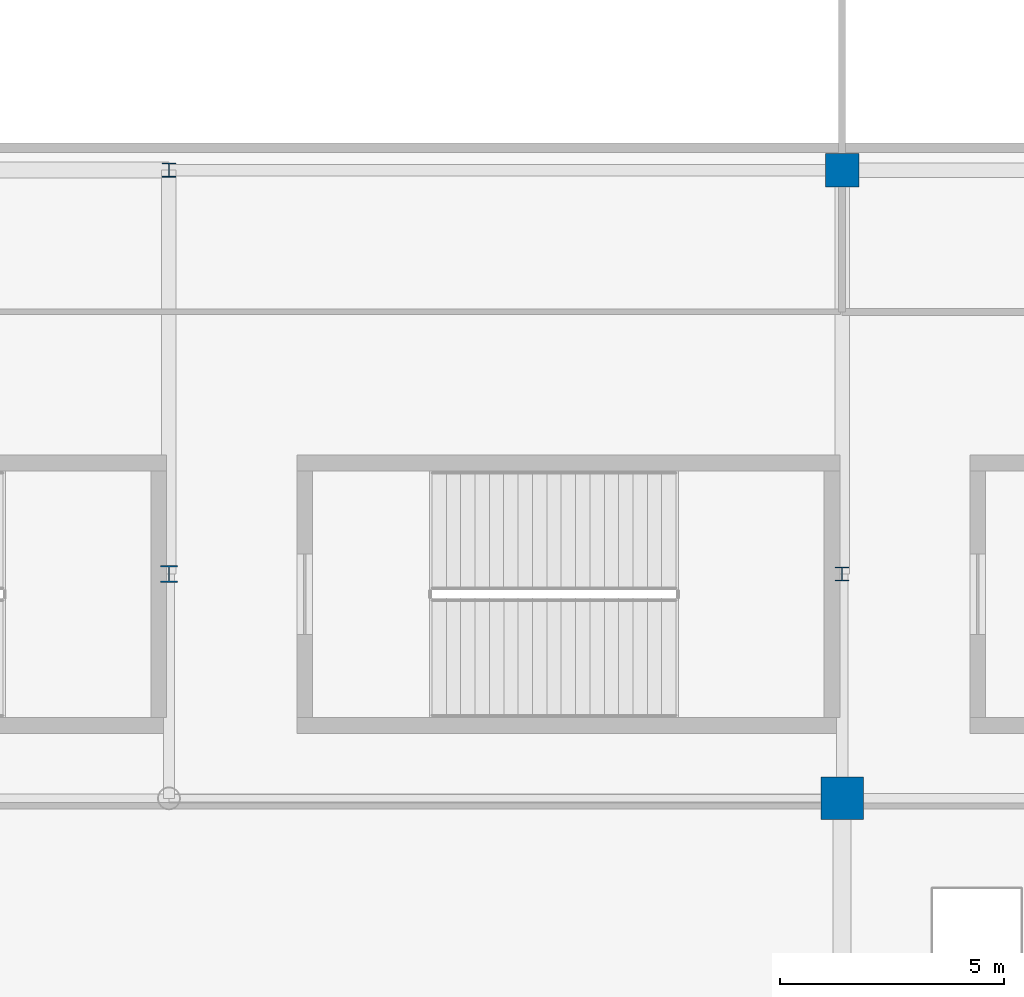
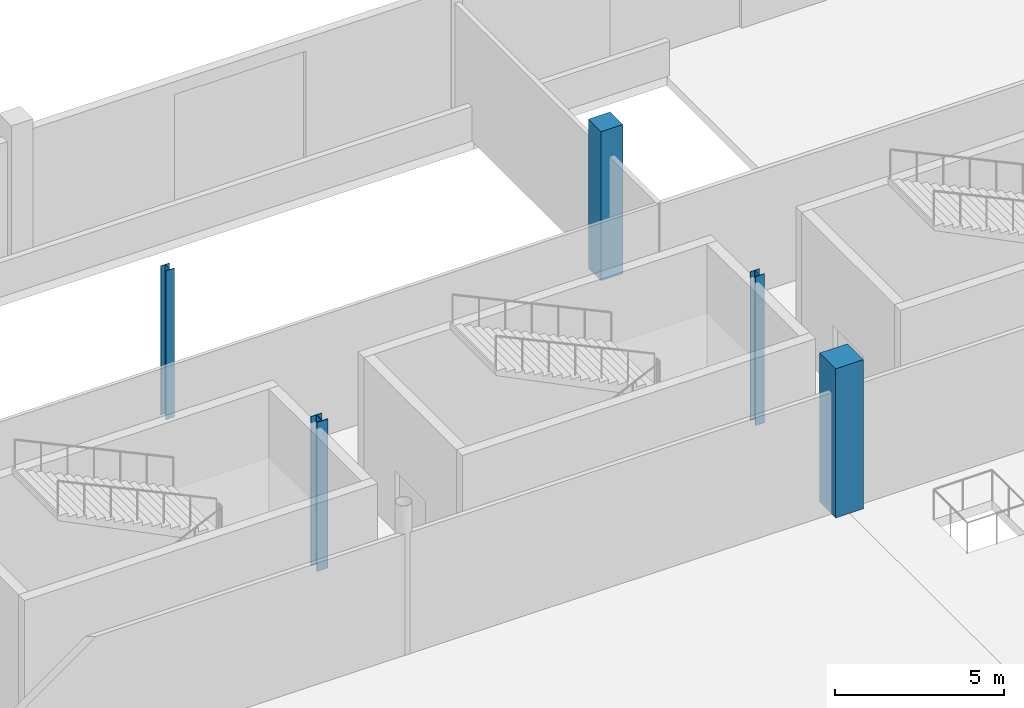
# One storey, part 9 of 94: 5 columns.
"""IFC4 building model written with IfcOpenShell, lengths in metres."""

import ifcopenshell
import ifcopenshell.guid

model = None  # the IFC model being written
_history = None  # IfcOwnerHistory: only IFC2X3 demands one
_inside = {}  # id of a spatial element -> (the spatial element, [elements in it])
_under = {}  # id of a project, library or spatial element -> (it, [spatial elements below it])
_declared = {}  # id of a project -> (the project, [libraries it declares])
_typed = {}  # id of a type object -> (the type object, [elements of that type])
_made_of = {}  # id of a material, layer set ... -> (it, [elements and type objects made of it])


def new_model(schema):
    """Start an empty IFC model of exactly this schema.

    Asked for "IFC4X3", IfcOpenShell would pick the latest addendum, in which some entities
    have other attributes; the version numbers below select the first issue.
    IFC2X3 requires an IfcOwnerHistory on every rooted entity: one is made here for all.
    """
    global model, _history
    if schema == "IFC4X3":
        model = ifcopenshell.file(schema_version=(4, 3, 0, 0))
    else:
        model = ifcopenshell.file(schema=schema)
    _inside.clear()
    _under.clear()
    _declared.clear()
    _typed.clear()
    _made_of.clear()
    _history = None
    if model.schema == "IFC2X3":
        org = make("IfcOrganization", Name="unknown")
        user = make(
            "IfcPersonAndOrganization",
            ThePerson=make("IfcPerson", FamilyName="unknown"),
            TheOrganization=org,
        )
        app = make(
            "IfcApplication",
            ApplicationDeveloper=org,
            Version="unknown",
            ApplicationFullName="unknown",
            ApplicationIdentifier="unknown",
        )
        _history = make(
            "IfcOwnerHistory",
            OwningUser=user,
            OwningApplication=app,
            ChangeAction="ADDED",
            CreationDate=0,
        )
    return model


def make(cls, **values):
    """One entity of the class cls with the attributes given. An attribute that is None is left unset."""
    return model.create_entity(
        cls, **{name: value for name, value in values.items() if value is not None}
    )


def rooted(cls, **values):
    """An entity with a GlobalId (a new one), such as an element, a storey or a relation."""
    return make(cls, GlobalId=ifcopenshell.guid.new(), OwnerHistory=_history, **values)


def si_unit(unit_type, name, prefix=None):
    """IfcSIUnit, for example si_unit("LENGTHUNIT", "METRE", prefix="MILLI")."""
    return make("IfcSIUnit", UnitType=unit_type, Prefix=prefix, Name=name)


def assignment(units):
    """IfcUnitAssignment: the units of a project."""
    return None if units is None else make("IfcUnitAssignment", Units=units)


def point(xyz):
    """IfcCartesianPoint."""
    return None if xyz is None else make("IfcCartesianPoint", Coordinates=xyz)


def direction(xyz):
    """IfcDirection."""
    return None if xyz is None else make("IfcDirection", DirectionRatios=xyz)


def frame(location, z_axis=None, x_axis=None):
    """IfcAxis2Placement3D, a coordinate frame: its origin and axes. An axis left out is left unset."""
    return make(
        "IfcAxis2Placement3D",
        Location=point(location),
        Axis=direction(z_axis),
        RefDirection=direction(x_axis),
    )


def frame_2d(location, x_axis=None):
    """IfcAxis2Placement2D, a coordinate frame in the plane: its origin and x axis."""
    return make(
        "IfcAxis2Placement2D", Location=point(location), RefDirection=direction(x_axis)
    )


def origin():
    """The frame at (0, 0, 0) with its axes left unset."""
    return frame((0.0, 0.0, 0.0))


def origin_2d():
    """The frame at (0, 0) in the plane with its x axis left unset."""
    return frame_2d((0.0, 0.0))


def place(relative_to, where):
    """IfcLocalPlacement: puts the frame where relative to a parent placement (None: the world)."""
    return make(
        "IfcLocalPlacement", PlacementRelTo=relative_to, RelativePlacement=where
    )


def context(
    kind, dimensions, precision=None, world=None, true_north=None, identifier=None
):
    """IfcGeometricRepresentationContext, for example the 3D "Model" context."""
    return make(
        "IfcGeometricRepresentationContext",
        ContextIdentifier=identifier,
        ContextType=kind,
        CoordinateSpaceDimension=dimensions,
        Precision=precision,
        WorldCoordinateSystem=world,
        TrueNorth=true_north,
    )


def subcontext(parent, identifier, kind, view, scale=None):
    """IfcGeometricRepresentationSubContext, for example "Body" below "Model"."""
    return make(
        "IfcGeometricRepresentationSubContext",
        ContextIdentifier=identifier,
        ContextType=kind,
        ParentContext=parent,
        TargetScale=scale,
        TargetView=view,
    )


def project(units=None, contexts=None):
    """IfcProject with its units and contexts."""
    return rooted(
        "IfcProject",
        Name="project",
        RepresentationContexts=contexts,
        UnitsInContext=assignment(units),
    )


def spatial(cls, under=None, at=None, **own):
    """A site, building, storey or space (cls), placed at a placement, below another one or the project."""
    s = rooted(cls, ObjectPlacement=at, **own)
    if under is not None:
        _under.setdefault(under.id(), (under, []))[1].append(s)
    return s


def profile(cls, at=None, kind="AREA", **sizes):
    """A parametric profile (cls). Its sizes go by their IFC names, for example OverallWidth=200.0."""
    return make(cls, ProfileType=kind, Position=at, **sizes)


def rectangle(**sizes):
    """IfcRectangleProfileDef."""
    return profile("IfcRectangleProfileDef", **sizes)


def i_section(**sizes):
    """IfcIShapeProfileDef."""
    return profile("IfcIShapeProfileDef", **sizes)


def extrude(swept, where, along, depth):
    """IfcExtrudedAreaSolid: the profile swept, set in the frame where, extruded along a direction by depth."""
    return make(
        "IfcExtrudedAreaSolid",
        SweptArea=swept,
        Position=where,
        ExtrudedDirection=direction(along),
        Depth=depth,
    )


def shape(context_of_items, identifier, shape_type, items):
    """IfcShapeRepresentation: the items that make up one representation, for example the "Body"."""
    return make(
        "IfcShapeRepresentation",
        ContextOfItems=context_of_items,
        RepresentationIdentifier=identifier,
        RepresentationType=shape_type,
        Items=items,
    )


def material(Name=None, Category=None):
    """IfcMaterial."""
    return make("IfcMaterial", Name=Name, Category=Category)


def material_profile(
    of_material, cross_section, Name=None, Category=None, Priority=None
):
    """IfcMaterialProfile: a cross section and its material."""
    return make(
        "IfcMaterialProfile",
        Name=Name,
        Material=of_material,
        Profile=cross_section,
        Priority=Priority,
        Category=Category,
    )


def profile_set(profiles, Name=None, composite=None):
    """IfcMaterialProfileSet."""
    return make(
        "IfcMaterialProfileSet",
        Name=Name,
        MaterialProfiles=profiles,
        CompositeProfile=composite,
    )


def made_of(thing, what):
    """Note that an element or type object is made of a material, layer set ...; save() writes the relation."""
    if what is not None:
        _made_of.setdefault(what.id(), (what, []))[1].append(thing)
    return thing


def type_object(cls, material=None, **own):
    """A type object (cls), such as IfcWallType, which elements share."""
    return made_of(rooted(cls, **own), material)


def element(
    cls,
    number,
    at=None,
    inside=None,
    cuts=None,
    type_object=None,
    material=None,
    context=None,
    identifier="Body",
    shape_type=None,
    held_by="IfcProductDefinitionShape",
    body=None,
    shapes=None,
    **own,
):
    """One element of the class cls, such as IfcWall. Its Tag is "e" and its number.

    at: its placement. inside: the storey or other place that contains it. cuts: it is an
    opening in that element (IfcRelVoidsElement). A single representation is given by context,
    identifier, shape_type and body (its items); several are given by shapes. held_by: the class
    of the entity that holds the representations. save() writes the other relations.
    """
    e = rooted(cls, Tag="e%d" % number, ObjectPlacement=at, **own)
    if body is not None:
        shapes = [shape(context, identifier, shape_type, body)]
    if shapes is not None:
        e.Representation = make(held_by, Representations=shapes)
    if inside is not None:
        _inside.setdefault(inside.id(), (inside, []))[1].append(e)
    if cuts is not None:
        rooted(
            "IfcRelVoidsElement", RelatingBuildingElement=cuts, RelatedOpeningElement=e
        )
    if type_object is not None:
        _typed.setdefault(type_object.id(), (type_object, []))[1].append(e)
    return made_of(e, material)


def aggregate(whole, parts):
    """IfcRelAggregates: a whole, such as a stair, and the parts it consists of."""
    return rooted("IfcRelAggregates", RelatingObject=whole, RelatedObjects=parts)


def save(model, path):
    """Write the relations noted so far, then the file.

    IfcRelAggregates (storeys below a building ...), IfcRelContainedInSpatialStructure (elements
    in a storey), IfcRelDefinesByType, IfcRelAssociatesMaterial and IfcRelDeclares: one each for
    every whole, place, type object, material and project.
    """
    for whole, parts in _under.values():
        aggregate(whole, parts)
    for where, things in _inside.values():
        rooted(
            "IfcRelContainedInSpatialStructure",
            RelatedElements=things,
            RelatingStructure=where,
        )
    for kind, things in _typed.values():
        rooted("IfcRelDefinesByType", RelatedObjects=things, RelatingType=kind)
    for what, things in _made_of.values():
        rooted("IfcRelAssociatesMaterial", RelatedObjects=things, RelatingMaterial=what)
    for by, libraries in _declared.values():
        rooted("IfcRelDeclares", RelatingContext=by, RelatedDefinitions=libraries)
    model.write(path)


model = new_model("IFC4")

# Units and contexts
model_context = context("Model", 3, precision=1e-05, world=origin(), true_north=direction((0.0, 1.0)))
body_context = subcontext(model_context, "Body", "Model", "MODEL_VIEW")
ifc_project = project(units=[si_unit("LENGTHUNIT", "METRE"), si_unit("AREAUNIT", "SQUARE_METRE"), si_unit("VOLUMEUNIT", "CUBIC_METRE"), si_unit("PLANEANGLEUNIT", "RADIAN"), si_unit("MASSUNIT", "GRAM", prefix="KILO")], contexts=[model_context])

# Site, building, storey
site_placement = place(None, origin())
site = spatial("IfcSite", under=ifc_project, at=site_placement, CompositionType="ELEMENT")
building_placement = place(site_placement, origin())
building = spatial("IfcBuilding", under=site, at=building_placement, Name="Qamarlyn Nura Convention Centre", CompositionType="ELEMENT")
storey_placement = place(building_placement, origin())
storey = spatial("IfcBuildingStorey", under=building, at=storey_placement, Name="L00", CompositionType="ELEMENT", Elevation=0.0)

# Columns
ifc_material_1 = material(Name="Concrete C50/60", Category="concrete")
ifc_material_profile_1 = material_profile(ifc_material_1, rectangle(XDim=0.949951171875, YDim=0.949951171875, at=origin_2d()), Name="RC 950x950")
ifc_profile_set_1 = profile_set([ifc_material_profile_1], Name="Concrete C50/60")
column_type_1 = type_object("IfcColumnType", Name="COL-HALL-2", PredefinedType="COLUMN", material=ifc_profile_set_1)
column_1_placement = place(storey_placement, frame((60.0, 103.0, 0.0), z_axis=(0.0, 0.0, 1.0), x_axis=(1.0, 0.0, 0.0)))
element("IfcColumn", 1, at=column_1_placement, inside=storey, type_object=column_type_1, Name="L00 column 5/M", PredefinedType="COLUMN", context=body_context, shape_type="SweptSolid", body=[
    extrude(rectangle(XDim=0.949951171875, YDim=0.949951171875, at=origin_2d()), origin(), (0.0, 0.0, 1.0), 5.39990234375),
])
ifc_material_profile_2 = material_profile(ifc_material_1, rectangle(XDim=0.75, YDim=0.75, at=origin_2d()), Name="RC 750x750")
ifc_profile_set_2 = profile_set([ifc_material_profile_2], Name="Concrete C50/60")
column_type_2 = type_object("IfcColumnType", Name="COL-SUB-2", PredefinedType="COLUMN", material=ifc_profile_set_2)
column_2_placement = place(storey_placement, frame((60.0, 117.0, 0.0), z_axis=(0.0, 0.0, 1.0), x_axis=(1.0, 0.0, 0.0)))
element("IfcColumn", 2, at=column_2_placement, inside=storey, type_object=column_type_2, Name="L00 column 5/P", PredefinedType="COLUMN", context=body_context, shape_type="SweptSolid", body=[
    extrude(rectangle(XDim=0.75, YDim=0.75, at=origin_2d()), origin(), (0.0, 0.0, 1.0), 5.39990234375),
])
ifc_material_2 = material(Name="Steel ASTM A992", Category="steel")
ifc_material_profile_3 = material_profile(ifc_material_2, i_section(OverallWidth=0.3740234375, OverallDepth=0.3720703125, WebThickness=0.016357421875, FlangeThickness=0.026123046875, FilletRadius=0.01611328125, at=origin_2d()), Name="W360X196")
ifc_profile_set_3 = profile_set([ifc_material_profile_3], Name="Steel ASTM A992")
column_type_3 = type_object("IfcColumnType", Name="COL-WING-2", PredefinedType="COLUMN", material=ifc_profile_set_3)
column_3_placement = place(storey_placement, frame((45.0, 108.0, 0.0), z_axis=(0.0, 0.0, 1.0), x_axis=(1.0, 0.0, 0.0)))
element("IfcColumn", 3, at=column_3_placement, inside=storey, type_object=column_type_3, Name="L00 column 4/N", PredefinedType="COLUMN", context=body_context, shape_type="SweptSolid", body=[
    extrude(i_section(OverallWidth=0.3740234375, OverallDepth=0.3720703125, WebThickness=0.016357421875, FlangeThickness=0.026123046875, FilletRadius=0.01611328125, at=origin_2d()), origin(), (0.0, 0.0, 1.0), 5.39990234375),
])
ifc_material_profile_4 = material_profile(ifc_material_2, i_section(OverallWidth=0.304931640625, OverallDepth=0.30810546875, WebThickness=0.010009765625, FlangeThickness=0.015380859375, FilletRadius=0.014892578125, at=origin_2d()), Name="W310X97")
ifc_profile_set_4 = profile_set([ifc_material_profile_4], Name="Steel ASTM A992")
column_type_4 = type_object("IfcColumnType", Name="COL-WING-4", PredefinedType="COLUMN", material=ifc_profile_set_4)
for number, where, z_axis, x_axis, name in (
    (4, (45.0, 117.0, 0.0), (0.0, 0.0, 1.0), (1.0, 0.0, 0.0), "L00 column 4/P"),
    (5, (60.0, 108.0, 0.0), (0.0, 0.0, 1.0), (1.0, 0.0, 0.0), "L00 column 5/N"),
):
    element("IfcColumn", number, at=place(storey_placement, frame(where, z_axis=z_axis, x_axis=x_axis)), inside=storey, type_object=column_type_4, Name=name, PredefinedType="COLUMN", context=body_context, shape_type="SweptSolid", body=[
        extrude(i_section(OverallWidth=0.304931640625, OverallDepth=0.30810546875, WebThickness=0.010009765625, FlangeThickness=0.015380859375, FilletRadius=0.014892578125, at=origin_2d()), origin(), (0.0, 0.0, 1.0), 5.39990234375),
    ])

save(model, "model.ifc")
